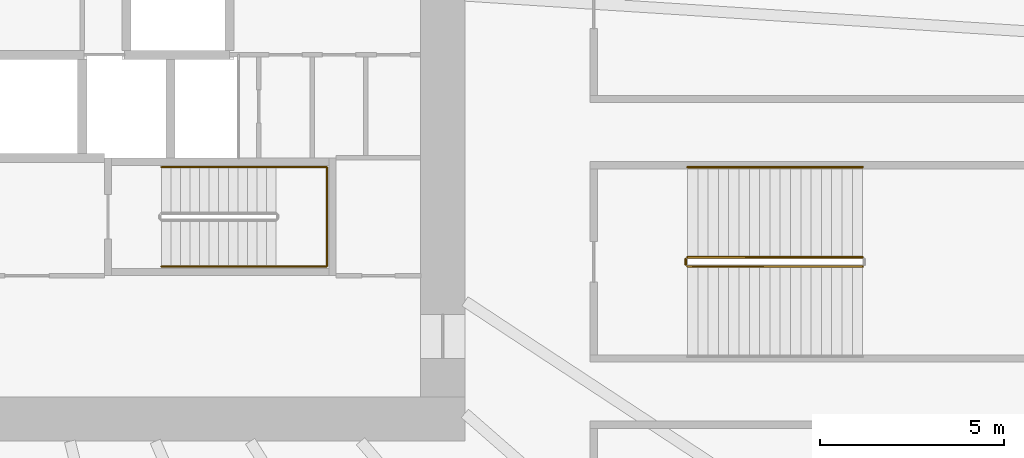
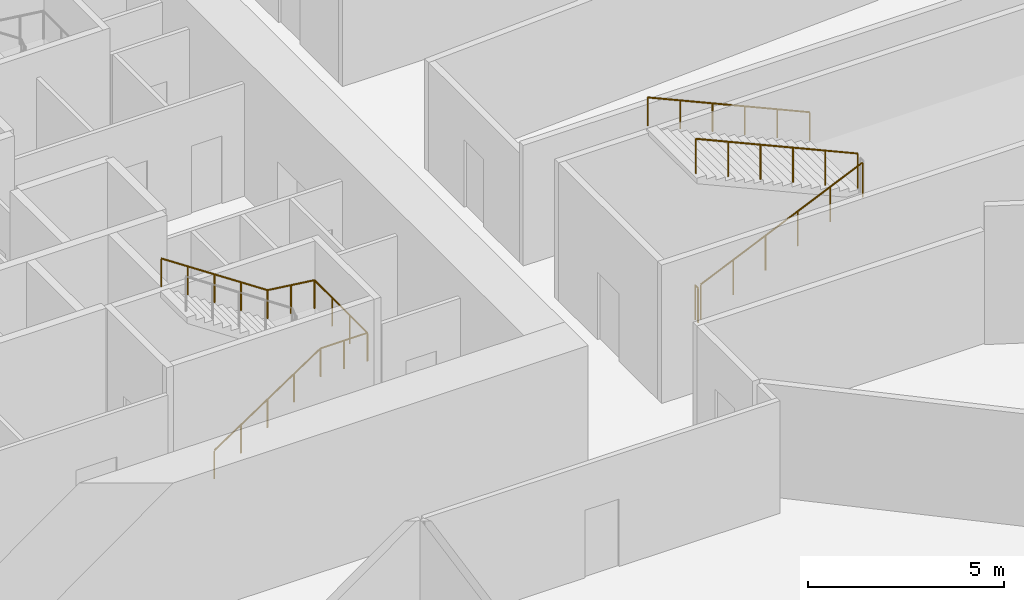
# One storey, part 15 of 21: 5 railings.
"""IFC4 building model written with IfcOpenShell, lengths in metres."""

import ifcopenshell
import ifcopenshell.guid

model = None  # the IFC model being written
_history = None  # IfcOwnerHistory: only IFC2X3 demands one
_inside = {}  # id of a spatial element -> (the spatial element, [elements in it])
_under = {}  # id of a project, library or spatial element -> (it, [spatial elements below it])
_declared = {}  # id of a project -> (the project, [libraries it declares])
_typed = {}  # id of a type object -> (the type object, [elements of that type])
_made_of = {}  # id of a material, layer set ... -> (it, [elements and type objects made of it])


def new_model(schema):
    """Start an empty IFC model of exactly this schema.

    Asked for "IFC4X3", IfcOpenShell would pick the latest addendum, in which some entities
    have other attributes; the version numbers below select the first issue.
    IFC2X3 requires an IfcOwnerHistory on every rooted entity: one is made here for all.
    """
    global model, _history
    if schema == "IFC4X3":
        model = ifcopenshell.file(schema_version=(4, 3, 0, 0))
    else:
        model = ifcopenshell.file(schema=schema)
    _inside.clear()
    _under.clear()
    _declared.clear()
    _typed.clear()
    _made_of.clear()
    _history = None
    if model.schema == "IFC2X3":
        org = make("IfcOrganization", Name="unknown")
        user = make(
            "IfcPersonAndOrganization",
            ThePerson=make("IfcPerson", FamilyName="unknown"),
            TheOrganization=org,
        )
        app = make(
            "IfcApplication",
            ApplicationDeveloper=org,
            Version="unknown",
            ApplicationFullName="unknown",
            ApplicationIdentifier="unknown",
        )
        _history = make(
            "IfcOwnerHistory",
            OwningUser=user,
            OwningApplication=app,
            ChangeAction="ADDED",
            CreationDate=0,
        )
    return model


def make(cls, **values):
    """One entity of the class cls with the attributes given. An attribute that is None is left unset."""
    return model.create_entity(
        cls, **{name: value for name, value in values.items() if value is not None}
    )


def rooted(cls, **values):
    """An entity with a GlobalId (a new one), such as an element, a storey or a relation."""
    return make(cls, GlobalId=ifcopenshell.guid.new(), OwnerHistory=_history, **values)


def si_unit(unit_type, name, prefix=None):
    """IfcSIUnit, for example si_unit("LENGTHUNIT", "METRE", prefix="MILLI")."""
    return make("IfcSIUnit", UnitType=unit_type, Prefix=prefix, Name=name)


def assignment(units):
    """IfcUnitAssignment: the units of a project."""
    return None if units is None else make("IfcUnitAssignment", Units=units)


def point(xyz):
    """IfcCartesianPoint."""
    return None if xyz is None else make("IfcCartesianPoint", Coordinates=xyz)


def direction(xyz):
    """IfcDirection."""
    return None if xyz is None else make("IfcDirection", DirectionRatios=xyz)


def frame(location, z_axis=None, x_axis=None):
    """IfcAxis2Placement3D, a coordinate frame: its origin and axes. An axis left out is left unset."""
    return make(
        "IfcAxis2Placement3D",
        Location=point(location),
        Axis=direction(z_axis),
        RefDirection=direction(x_axis),
    )


def frame_2d(location, x_axis=None):
    """IfcAxis2Placement2D, a coordinate frame in the plane: its origin and x axis."""
    return make(
        "IfcAxis2Placement2D", Location=point(location), RefDirection=direction(x_axis)
    )


def origin():
    """The frame at (0, 0, 0) with its axes left unset."""
    return frame((0.0, 0.0, 0.0))


def origin_2d():
    """The frame at (0, 0) in the plane with its x axis left unset."""
    return frame_2d((0.0, 0.0))


def place(relative_to, where):
    """IfcLocalPlacement: puts the frame where relative to a parent placement (None: the world)."""
    return make(
        "IfcLocalPlacement", PlacementRelTo=relative_to, RelativePlacement=where
    )


def context(
    kind, dimensions, precision=None, world=None, true_north=None, identifier=None
):
    """IfcGeometricRepresentationContext, for example the 3D "Model" context."""
    return make(
        "IfcGeometricRepresentationContext",
        ContextIdentifier=identifier,
        ContextType=kind,
        CoordinateSpaceDimension=dimensions,
        Precision=precision,
        WorldCoordinateSystem=world,
        TrueNorth=true_north,
    )


def subcontext(parent, identifier, kind, view, scale=None):
    """IfcGeometricRepresentationSubContext, for example "Body" below "Model"."""
    return make(
        "IfcGeometricRepresentationSubContext",
        ContextIdentifier=identifier,
        ContextType=kind,
        ParentContext=parent,
        TargetScale=scale,
        TargetView=view,
    )


def project(units=None, contexts=None):
    """IfcProject with its units and contexts."""
    return rooted(
        "IfcProject",
        Name="project",
        RepresentationContexts=contexts,
        UnitsInContext=assignment(units),
    )


def spatial(cls, under=None, at=None, **own):
    """A site, building, storey or space (cls), placed at a placement, below another one or the project."""
    s = rooted(cls, ObjectPlacement=at, **own)
    if under is not None:
        _under.setdefault(under.id(), (under, []))[1].append(s)
    return s


def profile(cls, at=None, kind="AREA", **sizes):
    """A parametric profile (cls). Its sizes go by their IFC names, for example OverallWidth=200.0."""
    return make(cls, ProfileType=kind, Position=at, **sizes)


def circle(**sizes):
    """IfcCircleProfileDef."""
    return profile("IfcCircleProfileDef", **sizes)


def extrude(swept, where, along, depth):
    """IfcExtrudedAreaSolid: the profile swept, set in the frame where, extruded along a direction by depth."""
    return make(
        "IfcExtrudedAreaSolid",
        SweptArea=swept,
        Position=where,
        ExtrudedDirection=direction(along),
        Depth=depth,
    )


def shape(context_of_items, identifier, shape_type, items):
    """IfcShapeRepresentation: the items that make up one representation, for example the "Body"."""
    return make(
        "IfcShapeRepresentation",
        ContextOfItems=context_of_items,
        RepresentationIdentifier=identifier,
        RepresentationType=shape_type,
        Items=items,
    )


def source(mapping_origin, context_of_items, identifier, shape_type, items):
    """IfcRepresentationMap: a shape defined once, which mapped items show again and again."""
    return make(
        "IfcRepresentationMap",
        MappingOrigin=mapping_origin,
        MappedRepresentation=shape(context_of_items, identifier, shape_type, items),
    )


def transform(
    local_origin,
    x_axis=None,
    y_axis=None,
    z_axis=None,
    scale=None,
    scale2=None,
    scale3=None,
    uniform=True,
):
    """IfcCartesianTransformationOperator3D, or its non-uniform kind. x_axis, y_axis, z_axis: its Axis1, 2, 3."""
    if uniform:
        return make(
            "IfcCartesianTransformationOperator3D",
            Axis1=direction(x_axis),
            Axis2=direction(y_axis),
            LocalOrigin=point(local_origin),
            Scale=scale,
            Axis3=direction(z_axis),
        )
    return make(
        "IfcCartesianTransformationOperator3DnonUniform",
        Axis1=direction(x_axis),
        Axis2=direction(y_axis),
        LocalOrigin=point(local_origin),
        Scale=scale,
        Axis3=direction(z_axis),
        Scale2=scale2,
        Scale3=scale3,
    )


def mapped(mapping_source, mapping_target):
    """IfcMappedItem: shows the shape of a source again, moved by a transform."""
    return make(
        "IfcMappedItem", MappingSource=mapping_source, MappingTarget=mapping_target
    )


def material(Name=None, Category=None):
    """IfcMaterial."""
    return make("IfcMaterial", Name=Name, Category=Category)


def made_of(thing, what):
    """Note that an element or type object is made of a material, layer set ...; save() writes the relation."""
    if what is not None:
        _made_of.setdefault(what.id(), (what, []))[1].append(thing)
    return thing


def type_object(cls, material=None, **own):
    """A type object (cls), such as IfcWallType, which elements share."""
    return made_of(rooted(cls, **own), material)


def element(
    cls,
    number,
    at=None,
    inside=None,
    cuts=None,
    type_object=None,
    material=None,
    context=None,
    identifier="Body",
    shape_type=None,
    held_by="IfcProductDefinitionShape",
    body=None,
    shapes=None,
    **own,
):
    """One element of the class cls, such as IfcWall. Its Tag is "e" and its number.

    at: its placement. inside: the storey or other place that contains it. cuts: it is an
    opening in that element (IfcRelVoidsElement). A single representation is given by context,
    identifier, shape_type and body (its items); several are given by shapes. held_by: the class
    of the entity that holds the representations. save() writes the other relations.
    """
    e = rooted(cls, Tag="e%d" % number, ObjectPlacement=at, **own)
    if body is not None:
        shapes = [shape(context, identifier, shape_type, body)]
    if shapes is not None:
        e.Representation = make(held_by, Representations=shapes)
    if inside is not None:
        _inside.setdefault(inside.id(), (inside, []))[1].append(e)
    if cuts is not None:
        rooted(
            "IfcRelVoidsElement", RelatingBuildingElement=cuts, RelatedOpeningElement=e
        )
    if type_object is not None:
        _typed.setdefault(type_object.id(), (type_object, []))[1].append(e)
    return made_of(e, material)


def aggregate(whole, parts):
    """IfcRelAggregates: a whole, such as a stair, and the parts it consists of."""
    return rooted("IfcRelAggregates", RelatingObject=whole, RelatedObjects=parts)


def save(model, path):
    """Write the relations noted so far, then the file.

    IfcRelAggregates (storeys below a building ...), IfcRelContainedInSpatialStructure (elements
    in a storey), IfcRelDefinesByType, IfcRelAssociatesMaterial and IfcRelDeclares: one each for
    every whole, place, type object, material and project.
    """
    for whole, parts in _under.values():
        aggregate(whole, parts)
    for where, things in _inside.values():
        rooted(
            "IfcRelContainedInSpatialStructure",
            RelatedElements=things,
            RelatingStructure=where,
        )
    for kind, things in _typed.values():
        rooted("IfcRelDefinesByType", RelatedObjects=things, RelatingType=kind)
    for what, things in _made_of.values():
        rooted("IfcRelAssociatesMaterial", RelatedObjects=things, RelatingMaterial=what)
    for by, libraries in _declared.values():
        rooted("IfcRelDeclares", RelatingContext=by, RelatedDefinitions=libraries)
    model.write(path)


model = new_model("IFC4")

# Units and contexts
model_context = context("Model", 3, precision=1e-05, world=origin(), true_north=direction((0.0, 1.0)))
body_context = subcontext(model_context, "Body", "Model", "MODEL_VIEW")
ifc_project = project(units=[si_unit("LENGTHUNIT", "METRE"), si_unit("AREAUNIT", "SQUARE_METRE"), si_unit("VOLUMEUNIT", "CUBIC_METRE"), si_unit("PLANEANGLEUNIT", "RADIAN"), si_unit("MASSUNIT", "GRAM", prefix="KILO")], contexts=[model_context])

# Site, building, storey
site_placement = place(None, origin())
site = spatial("IfcSite", under=ifc_project, at=site_placement, CompositionType="ELEMENT")
building_placement = place(site_placement, origin())
building = spatial("IfcBuilding", under=site, at=building_placement, Name="Embergate Tower", CompositionType="ELEMENT")
storey_placement = place(building_placement, frame((0.0, 0.0, 33.5)))
storey = spatial("IfcBuildingStorey", under=building, at=storey_placement, Name="L04", CompositionType="ELEMENT", Elevation=33.5)

# Railings
ifc_material_1 = material(Name="Stair handrail 900")
railing_type_1 = type_object("IfcRailingType", Name="Stair handrail 900", PredefinedType="HANDRAIL", material=ifc_material_1)
shared_shape_1 = source(origin(), body_context, "Body", "SweptSolid", [
    extrude(circle(Radius=0.02392578125, at=origin_2d()), frame((0.0, 0.0, 0.8759765625), z_axis=(0.83244090515, 0.0, 0.554113832559), x_axis=(0.0, 1.0, 0.0)), (0.0, 0.0, 1.0), 3.748046875),
    extrude(circle(Radius=0.02392578125, at=origin_2d()), frame((3.1201171875, 0.0, 2.95263671875), z_axis=(1.0, 0.0, 0.0), x_axis=(0.0, 1.0, 0.0)), (0.0, 0.0, 1.0), 1.3798828125),
    extrude(circle(Radius=0.02392578125, at=origin_2d()), frame((4.5, 0.0, 2.95263671875), z_axis=(0.0, 1.0, 0.0), x_axis=(-1.0, 0.0, 0.0)), (0.0, 0.0, 1.0), 2.699951171875),
    extrude(circle(Radius=0.02392578125, at=origin_2d()), frame((4.5, 2.699951171875, 2.95263671875), z_axis=(-0.992223766409, 0.0, 0.12446685251), x_axis=(0.0, -1.0, 0.0)), (0.0, 0.0, 1.0), 1.390625),
    extrude(circle(Radius=0.02392578125, at=origin_2d()), frame((3.1201171875, 2.699951171875, 3.1259765625), z_axis=(-0.83244090515, 0.0, 0.554113832559), x_axis=(0.0, -1.0, 0.0)), (0.0, 0.0, 1.0), 3.748046875),
    extrude(circle(Radius=0.02099609375, at=origin_2d()), origin(), (0.0, 0.0, 1.0), 0.851806640625),
    extrude(circle(Radius=0.02099609375, at=origin_2d()), frame((0.780029296875, 0.0, 0.519287109375)), (0.0, 0.0, 1.0), 0.851806640625),
    extrude(circle(Radius=0.02099609375, at=origin_2d()), frame((1.56005859375, 0.0, 1.03857421875)), (0.0, 0.0, 1.0), 0.851806640625),
    extrude(circle(Radius=0.02099609375, at=origin_2d()), frame((2.340087890625, 0.0, 1.5576171875)), (0.0, 0.0, 1.0), 0.851806640625),
    extrude(circle(Radius=0.02099609375, at=origin_2d()), frame((3.1201171875, 0.0, 2.076904296875)), (0.0, 0.0, 1.0), 0.851806640625),
    extrude(circle(Radius=0.02099609375, at=origin_2d()), frame((3.81005859375, 0.0, 2.076904296875)), (0.0, 0.0, 1.0), 0.851806640625),
    extrude(circle(Radius=0.02099609375, at=origin_2d()), frame((4.5, 0.0, 2.076904296875)), (0.0, 0.0, 1.0), 0.851806640625),
    extrude(circle(Radius=0.02099609375, at=origin_2d()), frame((4.5, 0.89990234375, 2.076904296875)), (0.0, 0.0, 1.0), 0.851806640625),
    extrude(circle(Radius=0.02099609375, at=origin_2d()), frame((4.5, 1.800048828125, 2.076904296875)), (0.0, 0.0, 1.0), 0.851806640625),
    extrude(circle(Radius=0.02099609375, at=origin_2d()), frame((4.5, 2.699951171875, 2.076904296875)), (0.0, 0.0, 1.0), 0.851806640625),
    extrude(circle(Radius=0.02099609375, at=origin_2d()), frame((3.81005859375, 2.699951171875, 2.16357421875)), (0.0, 0.0, 1.0), 0.851806640625),
    extrude(circle(Radius=0.02099609375, at=origin_2d()), frame((3.1201171875, 2.699951171875, 2.25)), (0.0, 0.0, 1.0), 0.851806640625),
    extrude(circle(Radius=0.02099609375, at=origin_2d()), frame((2.340087890625, 2.699951171875, 2.769287109375)), (0.0, 0.0, 1.0), 0.851806640625),
    extrude(circle(Radius=0.02099609375, at=origin_2d()), frame((1.56005859375, 2.699951171875, 3.28857421875)), (0.0, 0.0, 1.0), 0.851806640625),
    extrude(circle(Radius=0.02099609375, at=origin_2d()), frame((0.780029296875, 2.699951171875, 3.8076171875)), (0.0, 0.0, 1.0), 0.851806640625),
    extrude(circle(Radius=0.02099609375, at=origin_2d()), frame((0.0, 2.699951171875, 4.326904296875)), (0.0, 0.0, 1.0), 0.851806640625),
])
railing_1_placement = place(storey_placement, frame((5.75, -8.25, 0.173095703125)))
element("IfcRailing", 1, at=railing_1_placement, inside=storey, type_object=railing_type_1, Name="L04 ST4 stair handrail 1", PredefinedType="HANDRAIL", context=body_context, shape_type="MappedRepresentation", body=[
    mapped(shared_shape_1, transform((0.0, 0.0, 0.0))),
])
ifc_material_2 = material(Name="Steel", Category="steel")
railing_type_2 = type_object("IfcRailingType", Name="Podium stair guard 1100", PredefinedType="GUARDRAIL", material=ifc_material_2)
shared_shape_2 = source(origin(), body_context, "Body", "SweptSolid", [
    extrude(circle(Radius=0.02392578125, at=origin_2d()), frame((0.0, 0.0, 1.076171875), z_axis=(0.0, 1.0, 0.0), x_axis=(-1.0, 0.0, 0.0)), (0.0, 0.0, 1.0), 0.14990234375),
    extrude(circle(Radius=0.02099609375, at=origin_2d()), origin(), (0.0, 0.0, 1.0), 1.052001953125),
    extrude(circle(Radius=0.02099609375, at=origin_2d()), frame((0.0, 0.14990234375, 0.0)), (0.0, 0.0, 1.0), 1.052001953125),
])
railing_2_placement = place(storey_placement, frame((20.0, -8.199951171875, 0.0)))
element("IfcRailing", 2, at=railing_2_placement, inside=storey, type_object=railing_type_2, Name="L04 P2 stair guard 4", PredefinedType="GUARDRAIL", context=body_context, shape_type="MappedRepresentation", body=[
    mapped(shared_shape_2, transform((0.0, 0.0, 0.0))),
])
shared_shape_3 = source(origin(), body_context, "Body", "SweptSolid", [
    extrude(circle(Radius=0.02392578125, at=origin_2d()), frame((0.0, 0.0, 1.076171875), z_axis=(0.913138193756, 0.0, 0.40765014302), x_axis=(0.0, 1.0, 0.0)), (0.0, 0.0, 1.0), 5.212890625),
    extrude(circle(Radius=0.02099609375, at=origin_2d()), origin(), (0.0, 0.0, 1.0), 1.052001953125),
    extrude(circle(Radius=0.02099609375, at=origin_2d()), frame((0.951904296875, 0.0, 0.425048828125)), (0.0, 0.0, 1.0), 1.052001953125),
    extrude(circle(Radius=0.02099609375, at=origin_2d()), frame((1.904052734375, 0.0, 0.85009765625)), (0.0, 0.0, 1.0), 1.052001953125),
    extrude(circle(Radius=0.02099609375, at=origin_2d()), frame((2.85595703125, 0.0, 1.27490234375)), (0.0, 0.0, 1.0), 1.052001953125),
    extrude(circle(Radius=0.02099609375, at=origin_2d()), frame((3.80810546875, 0.0, 1.699951171875)), (0.0, 0.0, 1.0), 1.052001953125),
    extrude(circle(Radius=0.02099609375, at=origin_2d()), frame((4.760009765625, 0.0, 2.125)), (0.0, 0.0, 1.0), 1.052001953125),
])
railing_3_placement = place(storey_placement, frame((20.050048828125, -8.25, 0.125)))
element("IfcRailing", 3, at=railing_3_placement, inside=storey, type_object=railing_type_2, Name="L04 P2 stair guard 1", PredefinedType="GUARDRAIL", context=body_context, shape_type="MappedRepresentation", body=[
    mapped(shared_shape_3, transform((0.0, 0.0, 0.0))),
])
shared_shape_4 = source(origin(), body_context, "Body", "SweptSolid", [
    extrude(circle(Radius=0.02392578125, at=origin_2d()), frame((0.0, 0.0, 1.076171875), z_axis=(-0.913138193756, 0.0, 0.40765014302), x_axis=(0.0, -1.0, 0.0)), (0.0, 0.0, 1.0), 5.212890625),
    extrude(circle(Radius=0.02099609375, at=origin_2d()), origin(), (0.0, 0.0, 1.0), 1.052001953125),
    extrude(circle(Radius=0.02099609375, at=origin_2d()), frame((-0.951904296875, 0.0, 0.425048828125)), (0.0, 0.0, 1.0), 1.052001953125),
    extrude(circle(Radius=0.02099609375, at=origin_2d()), frame((-1.904052734375, 0.0, 0.85009765625)), (0.0, 0.0, 1.0), 1.052001953125),
    extrude(circle(Radius=0.02099609375, at=origin_2d()), frame((-2.85595703125, 0.0, 1.27490234375)), (0.0, 0.0, 1.0), 1.052001953125),
    extrude(circle(Radius=0.02099609375, at=origin_2d()), frame((-3.80810546875, 0.0, 1.699951171875)), (0.0, 0.0, 1.0), 1.052001953125),
    extrude(circle(Radius=0.02099609375, at=origin_2d()), frame((-4.760009765625, 0.0, 2.125)), (0.0, 0.0, 1.0), 1.052001953125),
])
railing_4_placement = place(storey_placement, frame((24.81005859375, -8.0, 2.375)))
element("IfcRailing", 4, at=railing_4_placement, inside=storey, type_object=railing_type_2, Name="L04 P2 stair guard 3", PredefinedType="GUARDRAIL", context=body_context, shape_type="MappedRepresentation", body=[
    mapped(shared_shape_4, transform((0.0, 0.0, 0.0))),
])
railing_type_3 = type_object("IfcRailingType", Name="Podium stair handrail 900", PredefinedType="HANDRAIL", material=ifc_material_2)
shared_shape_5 = source(origin(), body_context, "Body", "SweptSolid", [
    extrude(circle(Radius=0.02392578125, at=origin_2d()), frame((0.0, 0.0, 0.8759765625), z_axis=(-0.913138193756, 0.0, 0.40765014302), x_axis=(0.0, -1.0, 0.0)), (0.0, 0.0, 1.0), 5.212890625),
    extrude(circle(Radius=0.02099609375, at=origin_2d()), origin(), (0.0, 0.0, 1.0), 0.851806640625),
    extrude(circle(Radius=0.02099609375, at=origin_2d()), frame((-0.951904296875, 0.0, 0.425048828125)), (0.0, 0.0, 1.0), 0.851806640625),
    extrude(circle(Radius=0.02099609375, at=origin_2d()), frame((-1.904052734375, 0.0, 0.85009765625)), (0.0, 0.0, 1.0), 0.851806640625),
    extrude(circle(Radius=0.02099609375, at=origin_2d()), frame((-2.85595703125, 0.0, 1.27490234375)), (0.0, 0.0, 1.0), 0.851806640625),
    extrude(circle(Radius=0.02099609375, at=origin_2d()), frame((-3.80810546875, 0.0, 1.699951171875)), (0.0, 0.0, 1.0), 0.851806640625),
    extrude(circle(Radius=0.02099609375, at=origin_2d()), frame((-4.760009765625, 0.0, 2.125)), (0.0, 0.0, 1.0), 0.851806640625),
])
railing_5_placement = place(storey_placement, frame((24.81005859375, -5.550048828125, 2.375)))
element("IfcRailing", 5, at=railing_5_placement, inside=storey, type_object=railing_type_3, Name="L04 P2 stair handrail 2", PredefinedType="HANDRAIL", context=body_context, shape_type="MappedRepresentation", body=[
    mapped(shared_shape_5, transform((0.0, 0.0, 0.0))),
])

save(model, "model.ifc")
